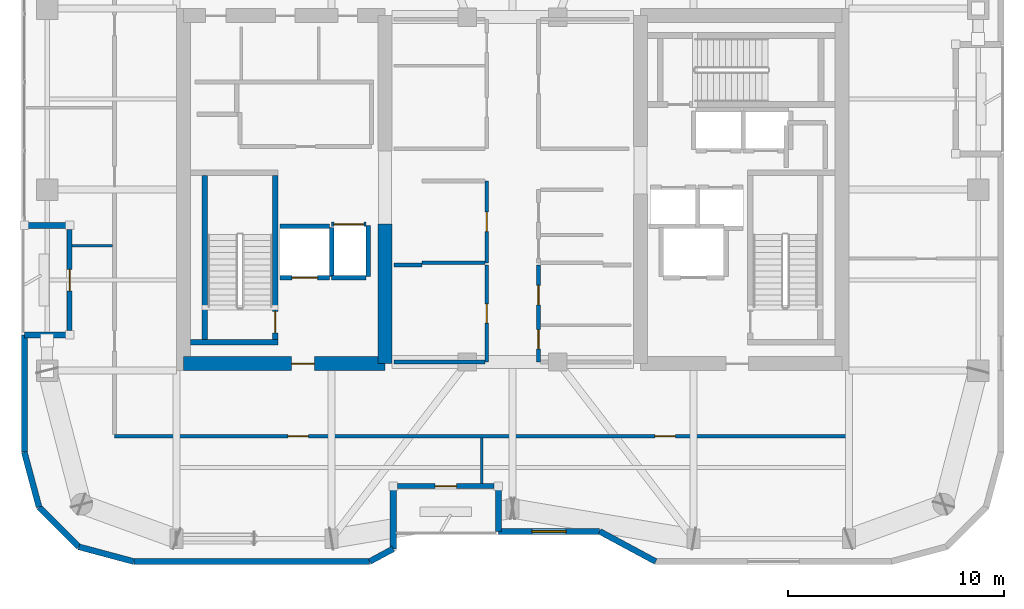
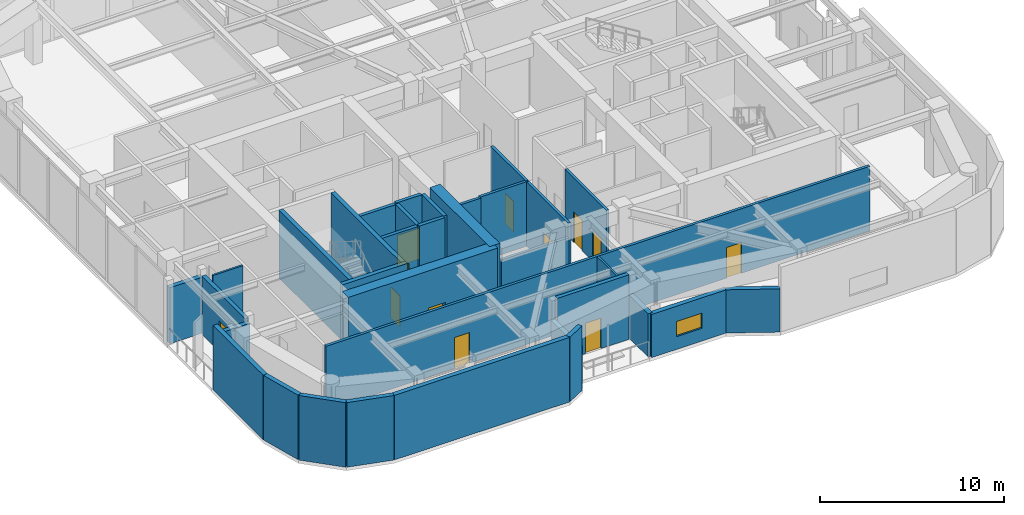
# One storey, part 13 of 19: 34 walls, 12 doors, 1 window, 13 openings.
"""IFC4 building model written with IfcOpenShell, lengths in metres."""

import ifcopenshell
import ifcopenshell.guid

model = None  # the IFC model being written
_history = None  # IfcOwnerHistory: only IFC2X3 demands one
_inside = {}  # id of a spatial element -> (the spatial element, [elements in it])
_under = {}  # id of a project, library or spatial element -> (it, [spatial elements below it])
_declared = {}  # id of a project -> (the project, [libraries it declares])
_typed = {}  # id of a type object -> (the type object, [elements of that type])
_made_of = {}  # id of a material, layer set ... -> (it, [elements and type objects made of it])


def new_model(schema):
    """Start an empty IFC model of exactly this schema.

    Asked for "IFC4X3", IfcOpenShell would pick the latest addendum, in which some entities
    have other attributes; the version numbers below select the first issue.
    IFC2X3 requires an IfcOwnerHistory on every rooted entity: one is made here for all.
    """
    global model, _history
    if schema == "IFC4X3":
        model = ifcopenshell.file(schema_version=(4, 3, 0, 0))
    else:
        model = ifcopenshell.file(schema=schema)
    _inside.clear()
    _under.clear()
    _declared.clear()
    _typed.clear()
    _made_of.clear()
    _history = None
    if model.schema == "IFC2X3":
        org = make("IfcOrganization", Name="unknown")
        user = make(
            "IfcPersonAndOrganization",
            ThePerson=make("IfcPerson", FamilyName="unknown"),
            TheOrganization=org,
        )
        app = make(
            "IfcApplication",
            ApplicationDeveloper=org,
            Version="unknown",
            ApplicationFullName="unknown",
            ApplicationIdentifier="unknown",
        )
        _history = make(
            "IfcOwnerHistory",
            OwningUser=user,
            OwningApplication=app,
            ChangeAction="ADDED",
            CreationDate=0,
        )
    return model


def make(cls, **values):
    """One entity of the class cls with the attributes given. An attribute that is None is left unset."""
    return model.create_entity(
        cls, **{name: value for name, value in values.items() if value is not None}
    )


def rooted(cls, **values):
    """An entity with a GlobalId (a new one), such as an element, a storey or a relation."""
    return make(cls, GlobalId=ifcopenshell.guid.new(), OwnerHistory=_history, **values)


def si_unit(unit_type, name, prefix=None):
    """IfcSIUnit, for example si_unit("LENGTHUNIT", "METRE", prefix="MILLI")."""
    return make("IfcSIUnit", UnitType=unit_type, Prefix=prefix, Name=name)


def assignment(units):
    """IfcUnitAssignment: the units of a project."""
    return None if units is None else make("IfcUnitAssignment", Units=units)


def point(xyz):
    """IfcCartesianPoint."""
    return None if xyz is None else make("IfcCartesianPoint", Coordinates=xyz)


def direction(xyz):
    """IfcDirection."""
    return None if xyz is None else make("IfcDirection", DirectionRatios=xyz)


def frame(location, z_axis=None, x_axis=None):
    """IfcAxis2Placement3D, a coordinate frame: its origin and axes. An axis left out is left unset."""
    return make(
        "IfcAxis2Placement3D",
        Location=point(location),
        Axis=direction(z_axis),
        RefDirection=direction(x_axis),
    )


def frame_2d(location, x_axis=None):
    """IfcAxis2Placement2D, a coordinate frame in the plane: its origin and x axis."""
    return make(
        "IfcAxis2Placement2D", Location=point(location), RefDirection=direction(x_axis)
    )


def origin():
    """The frame at (0, 0, 0) with its axes left unset."""
    return frame((0.0, 0.0, 0.0))


def place(relative_to, where):
    """IfcLocalPlacement: puts the frame where relative to a parent placement (None: the world)."""
    return make(
        "IfcLocalPlacement", PlacementRelTo=relative_to, RelativePlacement=where
    )


def context(
    kind, dimensions, precision=None, world=None, true_north=None, identifier=None
):
    """IfcGeometricRepresentationContext, for example the 3D "Model" context."""
    return make(
        "IfcGeometricRepresentationContext",
        ContextIdentifier=identifier,
        ContextType=kind,
        CoordinateSpaceDimension=dimensions,
        Precision=precision,
        WorldCoordinateSystem=world,
        TrueNorth=true_north,
    )


def subcontext(parent, identifier, kind, view, scale=None):
    """IfcGeometricRepresentationSubContext, for example "Body" below "Model"."""
    return make(
        "IfcGeometricRepresentationSubContext",
        ContextIdentifier=identifier,
        ContextType=kind,
        ParentContext=parent,
        TargetScale=scale,
        TargetView=view,
    )


def project(units=None, contexts=None):
    """IfcProject with its units and contexts."""
    return rooted(
        "IfcProject",
        Name="project",
        RepresentationContexts=contexts,
        UnitsInContext=assignment(units),
    )


def spatial(cls, under=None, at=None, **own):
    """A site, building, storey or space (cls), placed at a placement, below another one or the project."""
    s = rooted(cls, ObjectPlacement=at, **own)
    if under is not None:
        _under.setdefault(under.id(), (under, []))[1].append(s)
    return s


def profile(cls, at=None, kind="AREA", **sizes):
    """A parametric profile (cls). Its sizes go by their IFC names, for example OverallWidth=200.0."""
    return make(cls, ProfileType=kind, Position=at, **sizes)


def rectangle(**sizes):
    """IfcRectangleProfileDef."""
    return profile("IfcRectangleProfileDef", **sizes)


def extrude(swept, where, along, depth):
    """IfcExtrudedAreaSolid: the profile swept, set in the frame where, extruded along a direction by depth."""
    return make(
        "IfcExtrudedAreaSolid",
        SweptArea=swept,
        Position=where,
        ExtrudedDirection=direction(along),
        Depth=depth,
    )


def shape(context_of_items, identifier, shape_type, items):
    """IfcShapeRepresentation: the items that make up one representation, for example the "Body"."""
    return make(
        "IfcShapeRepresentation",
        ContextOfItems=context_of_items,
        RepresentationIdentifier=identifier,
        RepresentationType=shape_type,
        Items=items,
    )


def material(Name=None, Category=None):
    """IfcMaterial."""
    return make("IfcMaterial", Name=Name, Category=Category)


def layer(
    of_material, thickness, ventilated=None, Name=None, Category=None, Priority=None
):
    """IfcMaterialLayer: one layer of a wall or slab, of a material (None: an air gap)."""
    return make(
        "IfcMaterialLayer",
        Material=of_material,
        LayerThickness=thickness,
        IsVentilated=ventilated,
        Name=Name,
        Category=Category,
        Priority=Priority,
    )


def layer_set(layers, Name=None):
    """IfcMaterialLayerSet."""
    return make("IfcMaterialLayerSet", MaterialLayers=layers, LayerSetName=Name)


def made_of(thing, what):
    """Note that an element or type object is made of a material, layer set ...; save() writes the relation."""
    if what is not None:
        _made_of.setdefault(what.id(), (what, []))[1].append(thing)
    return thing


def type_object(cls, material=None, **own):
    """A type object (cls), such as IfcWallType, which elements share."""
    return made_of(rooted(cls, **own), material)


def element(
    cls,
    number,
    at=None,
    inside=None,
    cuts=None,
    type_object=None,
    material=None,
    context=None,
    identifier="Body",
    shape_type=None,
    held_by="IfcProductDefinitionShape",
    body=None,
    shapes=None,
    **own,
):
    """One element of the class cls, such as IfcWall. Its Tag is "e" and its number.

    at: its placement. inside: the storey or other place that contains it. cuts: it is an
    opening in that element (IfcRelVoidsElement). A single representation is given by context,
    identifier, shape_type and body (its items); several are given by shapes. held_by: the class
    of the entity that holds the representations. save() writes the other relations.
    """
    e = rooted(cls, Tag="e%d" % number, ObjectPlacement=at, **own)
    if body is not None:
        shapes = [shape(context, identifier, shape_type, body)]
    if shapes is not None:
        e.Representation = make(held_by, Representations=shapes)
    if inside is not None:
        _inside.setdefault(inside.id(), (inside, []))[1].append(e)
    if cuts is not None:
        rooted(
            "IfcRelVoidsElement", RelatingBuildingElement=cuts, RelatedOpeningElement=e
        )
    if type_object is not None:
        _typed.setdefault(type_object.id(), (type_object, []))[1].append(e)
    return made_of(e, material)


def fill(opening, filler):
    """IfcRelFillsElement: the door or window that sits in an opening."""
    return rooted(
        "IfcRelFillsElement",
        RelatingOpeningElement=opening,
        RelatedBuildingElement=filler,
    )


def aggregate(whole, parts):
    """IfcRelAggregates: a whole, such as a stair, and the parts it consists of."""
    return rooted("IfcRelAggregates", RelatingObject=whole, RelatedObjects=parts)


def save(model, path):
    """Write the relations noted so far, then the file.

    IfcRelAggregates (storeys below a building ...), IfcRelContainedInSpatialStructure (elements
    in a storey), IfcRelDefinesByType, IfcRelAssociatesMaterial and IfcRelDeclares: one each for
    every whole, place, type object, material and project.
    """
    for whole, parts in _under.values():
        aggregate(whole, parts)
    for where, things in _inside.values():
        rooted(
            "IfcRelContainedInSpatialStructure",
            RelatedElements=things,
            RelatingStructure=where,
        )
    for kind, things in _typed.values():
        rooted("IfcRelDefinesByType", RelatedObjects=things, RelatingType=kind)
    for what, things in _made_of.values():
        rooted("IfcRelAssociatesMaterial", RelatedObjects=things, RelatingMaterial=what)
    for by, libraries in _declared.values():
        rooted("IfcRelDeclares", RelatingContext=by, RelatedDefinitions=libraries)
    model.write(path)


model = new_model("IFC4")

# Units and contexts
model_context = context("Model", 3, precision=1e-05, world=origin(), true_north=direction((0.0, 1.0)))
body_context = subcontext(model_context, "Body", "Model", "MODEL_VIEW")
ifc_project = project(units=[si_unit("LENGTHUNIT", "METRE"), si_unit("AREAUNIT", "SQUARE_METRE"), si_unit("VOLUMEUNIT", "CUBIC_METRE"), si_unit("PLANEANGLEUNIT", "RADIAN"), si_unit("MASSUNIT", "GRAM", prefix="KILO")], contexts=[model_context])

# Site, building, storey
site_placement = place(None, origin())
site = spatial("IfcSite", under=ifc_project, at=site_placement, CompositionType="ELEMENT")
building_placement = place(site_placement, origin())
building = spatial("IfcBuilding", under=site, at=building_placement, Name="Kiyonajd Concourse Tower", CompositionType="ELEMENT")
storey_placement = place(building_placement, frame((0.0, 0.0, 238.800048828125)))
storey = spatial("IfcBuildingStorey", under=building, at=storey_placement, Name="L60", CompositionType="ELEMENT", Elevation=238.800048828125)

# Wall
ifc_material_1 = material(Name="Concrete C60/75", Category="concrete")
ifc_layer_1 = layer(ifc_material_1, 0.64990234375)
ifc_layer_set_1 = layer_set([ifc_layer_1], Name="Concrete C60/75")
wall_type_1 = type_object("IfcWallType", Name="WL-CORE-650", PredefinedType="SHEAR", material=ifc_layer_set_1)
wall_1_placement = place(storey_placement, frame((42.074951171875, 27.925048828125, 0.0), z_axis=(0.0, 0.0, 1.0), x_axis=(0.0, 1.0, 0.0)))
element("IfcWall", 1, at=wall_1_placement, inside=storey, type_object=wall_type_1, Name="L60 West Core Inner South Shear Wall", PredefinedType="SHEAR", context=body_context, shape_type="SweptSolid", body=[
    extrude(rectangle(XDim=6.474853515625, YDim=0.64990234375, at=frame_2d((3.2373046875, 0.0))), origin(), (0.0, 0.0, 1.0), 4.5),
])

# Wall, opening, door
wall_2_placement = place(storey_placement, frame((32.72509765625, 27.925048828125, 0.0), z_axis=(0.0, 0.0, 1.0), x_axis=(1.0, 0.0, 0.0)))
wall_2 = element("IfcWall", 2, at=wall_2_placement, inside=storey, type_object=wall_type_1, Name="L60 West Core South Shear Wall", PredefinedType="SHEAR", context=body_context, shape_type="SweptSolid", body=[
    extrude(rectangle(XDim=9.349853515625, YDim=0.64990234375, at=frame_2d((4.6748046875, 0.0))), origin(), (0.0, 0.0, 1.0), 4.5),
])
opening_1_placement = place(wall_2_placement, frame((5.02490234375, 0.0, 0.0)))
opening_1 = element("IfcOpeningElement", 3, at=opening_1_placement, cuts=wall_2, Name="Opening DF5", PredefinedType="OPENING", context=body_context, shape_type="SweptSolid", body=[
    extrude(rectangle(XDim=1.050048828125, YDim=2.0400390625, at=frame_2d((0.52490234375, 1.02001953125))), frame((0.0, 0.3349609375, 0.0), z_axis=(0.0, -1.0, 0.0), x_axis=(1.0, 0.0, 0.0)), (0.0, 0.0, 1.0), 0.669921875),
])
ifc_material_2 = material(Name="Brushed Stainless Steel Cab Assembly", Category="steel")
door_type_1 = type_object("IfcDoorType", Name="DR-FD45-1050", OperationType="NOTDEFINED", PredefinedType="DOOR", material=ifc_material_2)
door_1_placement = place(opening_1_placement, origin())
door_1 = element("IfcDoor", 4, at=door_1_placement, inside=storey, type_object=door_type_1, Name="L60 Firefighting Lift Lobby W Smoke Door", OperationType="SINGLE_SWING_LEFT", OverallHeight=2.0400390625, OverallWidth=1.050048828125, PredefinedType="DOOR", context=body_context, shape_type="SweptSolid", body=[
    extrude(rectangle(XDim=1.050048828125, YDim=2.0400390625, at=frame_2d((0.52490234375, 1.02001953125))), frame((0.0, 0.02490234375, 0.0), z_axis=(0.0, -1.0, 0.0), x_axis=(1.0, 0.0, 0.0)), (0.0, 0.0, 1.0), 0.050048828125),
])
fill(opening_1, door_1)

# Walls
ifc_material_3 = material(Name="Precast concrete C50/60", Category="concrete")
ifc_layer_2 = layer(ifc_material_3, 0.280029296875)
ifc_layer_set_2 = layer_set([ifc_layer_2], Name="Precast concrete C50/60")
wall_type_2 = type_object("IfcWallType", Name="WL-EXT-280", PredefinedType="SOLIDWALL", material=ifc_layer_set_2)
wall_3_placement = place(storey_placement, frame((26.0224609375, 21.2724609375, 0.0), z_axis=(0.0, 0.0, 1.0), x_axis=(-0.2588904131, 0.965906700466, 0.0)))
element("IfcWall", 5, at=wall_3_placement, inside=storey, type_object=wall_type_2, Name="L60 Exterior Concrete Frame Wall 00", PredefinedType="SOLIDWALL", context=body_context, shape_type="SweptSolid", body=[
    extrude(rectangle(XDim=2.6357421875, YDim=0.280029296875, at=frame_2d((1.31787109375, 0.0))), origin(), (0.0, 0.0, 1.0), 4.280029296875),
])
wall_4_placement = place(storey_placement, frame((25.340087890625, 23.818359375, 0.0), z_axis=(0.0, 0.0, 1.0), x_axis=(0.0, 1.0, 0.0)))
element("IfcWall", 6, at=wall_4_placement, inside=storey, type_object=wall_type_2, Name="L60 Exterior Concrete Frame Wall 01", PredefinedType="SOLIDWALL", context=body_context, shape_type="SweptSolid", body=[
    extrude(rectangle(XDim=5.441650390625, YDim=0.280029296875, at=frame_2d((2.720703125, 0.0))), origin(), (0.0, 0.0, 1.0), 4.280029296875),
])
for number, where, z_axis, x_axis, name in (
    (7, (25.340087890625, 29.260009765625, 0.0), (0.0, 0.0, 1.0), (1.0, 0.0, 0.0), "L60 Exterior Concrete Frame Wall 02"),
    (8, (27.43994140625, 34.340087890625, 0.0), (0.0, 0.0, 1.0), (-1.0, 0.0, 0.0), "L60 Exterior Concrete Frame Wall 04"),
):
    element("IfcWall", number, at=place(storey_placement, frame(where, z_axis=z_axis, x_axis=x_axis)), inside=storey, type_object=wall_type_2, Name=name, PredefinedType="SOLIDWALL", context=body_context, shape_type="SweptSolid", body=[
        extrude(rectangle(XDim=2.099853515625, YDim=0.280029296875, at=frame_2d((1.0498046875, 0.0))), origin(), (0.0, 0.0, 1.0), 3.716064453125),
    ])
wall_5_placement = place(storey_placement, frame((54.63525390625, 18.739990234375, 0.0), z_axis=(0.0, 0.0, 1.0), x_axis=(-0.880473754814, 0.474094892488, 0.0)))
element("IfcWall", 9, at=wall_5_placement, inside=storey, type_object=wall_type_2, Name="L60 Exterior Concrete Frame Wall 30", PredefinedType="SOLIDWALL", context=body_context, shape_type="SweptSolid", body=[
    extrude(rectangle(XDim=2.952880859375, YDim=0.280029296875, at=frame_2d((1.4765625, 0.0))), origin(), (0.0, 0.0, 1.0), 2.864990234375),
])

# Wall, opening, window
wall_6_placement = place(storey_placement, frame((52.035400390625, 20.139892578125, 0.0), z_axis=(0.0, 0.0, 1.0), x_axis=(-1.0, 0.0, 0.0)))
wall_6 = element("IfcWall", 10, at=wall_6_placement, inside=storey, type_object=wall_type_2, Name="L60 Exterior Concrete Frame Wall 31", PredefinedType="SOLIDWALL", context=body_context, shape_type="SweptSolid", body=[
    extrude(rectangle(XDim=4.6953125, YDim=0.280029296875, at=frame_2d((2.34765625, 0.0))), origin(), (0.0, 0.0, 1.0), 2.864990234375),
])
opening_2_placement = place(wall_6_placement, frame((1.548095703125, 0.0, 0.85009765625)))
opening_2 = element("IfcOpeningElement", 11, at=opening_2_placement, cuts=wall_6, Name="Opening WN6", PredefinedType="OPENING", context=body_context, shape_type="SweptSolid", body=[
    extrude(rectangle(XDim=1.60009765625, YDim=1.0, at=frame_2d((0.800048828125, 0.5))), frame((0.0, 0.14990234375, 0.0), z_axis=(0.0, -1.0, 0.0), x_axis=(1.0, 0.0, 0.0)), (0.0, 0.0, 1.0), 0.300048828125),
])
ifc_material_4 = material(Name="Double Low-E Insulated Glass", Category="glass")
window_type = type_object("IfcWindowType", Name="WN-VIS-1600x1000", PartitioningType="SINGLE_PANEL", PredefinedType="WINDOW", material=ifc_material_4)
window_placement = place(opening_2_placement, origin())
window = element("IfcWindow", 12, at=window_placement, inside=storey, type_object=window_type, Name="L60 Modular Facade Vision Window 31", OverallHeight=1.0, OverallWidth=1.60009765625, PartitioningType="SINGLE_PANEL", PredefinedType="WINDOW", context=body_context, shape_type="SweptSolid", body=[
    extrude(rectangle(XDim=1.60009765625, YDim=1.0, at=frame_2d((0.800048828125, 0.5))), frame((0.0, 0.030029296875, 0.0), z_axis=(0.0, -1.0, 0.0), x_axis=(1.0, 0.0, 0.0)), (0.0, 0.0, 1.0), 0.06005859375),
])
fill(opening_2, window)

# Walls
wall_7_placement = place(storey_placement, frame((47.340087890625, 20.139892578125, 0.0), z_axis=(0.0, 0.0, 1.0), x_axis=(0.0, 1.0, 0.0)))
element("IfcWall", 13, at=wall_7_placement, inside=storey, type_object=wall_type_2, Name="L60 Exterior Concrete Frame Wall 32", PredefinedType="SOLIDWALL", context=body_context, shape_type="SweptSolid", body=[
    extrude(rectangle(XDim=2.10009765625, YDim=0.280029296875, at=frame_2d((1.050048828125, 0.0))), origin(), (0.0, 0.0, 1.0), 2.864990234375),
])
wall_8_placement = place(storey_placement, frame((42.4599609375, 22.239990234375, 0.0), z_axis=(0.0, 0.0, 1.0), x_axis=(0.0, -1.0, 0.0)))
element("IfcWall", 14, at=wall_8_placement, inside=storey, type_object=wall_type_2, Name="L60 Exterior Concrete Frame Wall 34", PredefinedType="SOLIDWALL", context=body_context, shape_type="SweptSolid", body=[
    extrude(rectangle(XDim=2.910400390625, YDim=0.280029296875, at=frame_2d((1.455078125, 0.0))), origin(), (0.0, 0.0, 1.0), 2.864990234375),
])
wall_9_placement = place(storey_placement, frame((42.4599609375, 19.32958984375, 0.0), z_axis=(0.0, 0.0, 1.0), x_axis=(-0.880515214249, -0.474017887296, 0.0)))
element("IfcWall", 15, at=wall_9_placement, inside=storey, type_object=wall_type_2, Name="L60 Exterior Concrete Frame Wall 35", PredefinedType="SOLIDWALL", context=body_context, shape_type="SweptSolid", body=[
    extrude(rectangle(XDim=1.243896484375, YDim=0.280029296875, at=frame_2d((0.6220703125, 0.0))), origin(), (0.0, 0.0, 1.0), 4.280029296875),
])
wall_10_placement = place(storey_placement, frame((41.36474609375, 18.739990234375, 0.0), z_axis=(0.0, 0.0, 1.0), x_axis=(-1.0, 0.0, 0.0)))
element("IfcWall", 16, at=wall_10_placement, inside=storey, type_object=wall_type_2, Name="L60 Exterior Concrete Frame Wall 36", PredefinedType="SOLIDWALL", context=body_context, shape_type="SweptSolid", body=[
    extrude(rectangle(XDim=10.9462890625, YDim=0.280029296875, at=frame_2d((5.47314453125, 0.0))), origin(), (0.0, 0.0, 1.0), 4.280029296875),
])
wall_11_placement = place(storey_placement, frame((30.41845703125, 18.739990234375, 0.0), z_axis=(0.0, 0.0, 1.0), x_axis=(-0.965883534663, 0.258976828051, 0.0)))
element("IfcWall", 17, at=wall_11_placement, inside=storey, type_object=wall_type_2, Name="L60 Exterior Concrete Frame Wall 37", PredefinedType="SOLIDWALL", context=body_context, shape_type="SweptSolid", body=[
    extrude(rectangle(XDim=2.6357421875, YDim=0.280029296875, at=frame_2d((1.31787109375, 0.0))), origin(), (0.0, 0.0, 1.0), 4.280029296875),
])
wall_12_placement = place(storey_placement, frame((27.87255859375, 19.422607421875, 0.0), z_axis=(0.0, 0.0, 1.0), x_axis=(-0.707153437963, 0.707060121331, 0.0)))
element("IfcWall", 18, at=wall_12_placement, inside=storey, type_object=wall_type_2, Name="L60 Exterior Concrete Frame Wall 38", PredefinedType="SOLIDWALL", context=body_context, shape_type="SweptSolid", body=[
    extrude(rectangle(XDim=2.6162109375, YDim=0.280029296875, at=frame_2d((1.30810546875, 0.0))), origin(), (0.0, 0.0, 1.0), 4.280029296875),
])

# Wall, opening, door
ifc_layer_3 = layer(ifc_material_3, 0.239990234375)
ifc_layer_set_3 = layer_set([ifc_layer_3], Name="Precast concrete C50/60")
wall_type_3 = type_object("IfcWallType", Name="WL-LOG-240", PredefinedType="SOLIDWALL", material=ifc_layer_set_3)
wall_13_placement = place(storey_placement, frame((27.43994140625, 29.455078125, 0.0), z_axis=(0.0, 0.0, 1.0), x_axis=(0.0, 1.0, 0.0)))
wall_13 = element("IfcWall", 19, at=wall_13_placement, inside=storey, type_object=wall_type_3, Name="L60 Recessed Loggia Thermal Wall LOG-W", PredefinedType="SOLIDWALL", context=body_context, shape_type="SweptSolid", body=[
    extrude(rectangle(XDim=4.68994140625, YDim=0.239990234375, at=frame_2d((2.344970703125, 0.0))), origin(), (0.0, 0.0, 1.0), 3.847900390625),
])
opening_3_placement = place(wall_13_placement, frame((1.844970703125, 0.0, 0.0)))
opening_3 = element("IfcOpeningElement", 20, at=opening_3_placement, cuts=wall_13, Name="Opening DL1", PredefinedType="OPENING", context=body_context, shape_type="SweptSolid", body=[
    extrude(rectangle(XDim=1.0, YDim=2.02001953125, at=frame_2d((0.5, 1.010009765625))), frame((0.0, 0.1298828125, 0.0), z_axis=(0.0, -1.0, 0.0), x_axis=(1.0, 0.0, 0.0)), (0.0, 0.0, 1.0), 0.260009765625),
])
ifc_material_5 = material(Name="Thermally Broken Anodised Aluminium", Category="aluminium")
door_type_2 = type_object("IfcDoorType", Name="DR-LOG-1000", OperationType="NOTDEFINED", PredefinedType="DOOR", material=ifc_material_5)
door_2_placement = place(opening_3_placement, origin())
door_2 = element("IfcDoor", 21, at=door_2_placement, inside=storey, type_object=door_type_2, Name="L60 Engawa Loggia Access Door LOG-W", OperationType="SINGLE_SWING_LEFT", OverallHeight=2.02001953125, OverallWidth=1.0, PredefinedType="DOOR", context=body_context, shape_type="SweptSolid", body=[
    extrude(rectangle(XDim=1.0, YDim=2.02001953125, at=frame_2d((0.5, 1.010009765625))), frame((0.0, 0.02490234375, 0.0), z_axis=(0.0, -1.0, 0.0), x_axis=(1.0, 0.0, 0.0)), (0.0, 0.0, 1.0), 0.050048828125),
])
fill(opening_3, door_2)

wall_14_placement = place(storey_placement, frame((47.14501953125, 22.239990234375, 0.0), z_axis=(0.0, 0.0, 1.0), x_axis=(-1.0, 0.0, 0.0)))
wall_14 = element("IfcWall", 22, at=wall_14_placement, inside=storey, type_object=wall_type_3, Name="L60 Recessed Loggia Thermal Wall LOG-S", PredefinedType="SOLIDWALL", context=body_context, shape_type="SweptSolid", body=[
    extrude(rectangle(XDim=4.489990234375, YDim=0.239990234375, at=frame_2d((2.2451171875, 0.0))), origin(), (0.0, 0.0, 1.0), 4.280029296875),
])
opening_4_placement = place(wall_14_placement, frame((1.7451171875, 0.0, 0.0)))
opening_4 = element("IfcOpeningElement", 23, at=opening_4_placement, cuts=wall_14, Name="Opening DL1", PredefinedType="OPENING", context=body_context, shape_type="SweptSolid", body=[
    extrude(rectangle(XDim=1.0, YDim=2.02001953125, at=frame_2d((0.5, 1.010009765625))), frame((0.0, 0.1298828125, 0.0), z_axis=(0.0, -1.0, 0.0), x_axis=(1.0, 0.0, 0.0)), (0.0, 0.0, 1.0), 0.260009765625),
])
door_3_placement = place(opening_4_placement, origin())
door_3 = element("IfcDoor", 24, at=door_3_placement, inside=storey, type_object=door_type_2, Name="L60 Engawa Loggia Access Door LOG-S", OperationType="SINGLE_SWING_LEFT", OverallHeight=2.02001953125, OverallWidth=1.0, PredefinedType="DOOR", context=body_context, shape_type="SweptSolid", body=[
    extrude(rectangle(XDim=1.0, YDim=2.02001953125, at=frame_2d((0.5, 1.010009765625))), frame((0.0, 0.02490234375, 0.0), z_axis=(0.0, -1.0, 0.0), x_axis=(1.0, 0.0, 0.0)), (0.0, 0.0, 1.0), 0.050048828125),
])
fill(opening_4, door_3)

# Walls
ifc_material_6 = material(Name="Gypsum Board on Cold-Formed Steel Stud", Category="steel")
ifc_layer_4 = layer(ifc_material_6, 0.125)
ifc_layer_set_4 = layer_set([ifc_layer_4], Name="Gypsum Board on Cold-Formed Steel Stud")
wall_type_4 = type_object("IfcWallType", Name="WL-PART-125", PredefinedType="PARTITIONING", material=ifc_layer_set_4)
wall_15_placement = place(storey_placement, frame((46.56005859375, 22.35498046875, 0.0), z_axis=(0.0, 0.0, 1.0), x_axis=(0.0, 1.0, 0.0)))
element("IfcWall", 25, at=wall_15_placement, inside=storey, type_object=wall_type_4, Name="L60 Interior Partition Wall", PredefinedType="PARTITIONING", context=body_context, shape_type="SweptSolid", body=[
    extrude(rectangle(XDim=2.117919921875, YDim=0.125, at=frame_2d((1.05908203125, 0.0))), origin(), (0.0, 0.0, 1.0), 4.280029296875),
])
wall_16_placement = place(storey_placement, frame((27.554931640625, 33.39990234375, 0.0), z_axis=(0.0, 0.0, 1.0), x_axis=(1.0, 0.0, 0.0)))
element("IfcWall", 26, at=wall_16_placement, inside=storey, type_object=wall_type_4, Name="L60 Interior Partition Wall", PredefinedType="PARTITIONING", context=body_context, shape_type="SweptSolid", body=[
    extrude(rectangle(XDim=1.883056640625, YDim=0.125, at=frame_2d((0.94140625, 0.0))), origin(), (0.0, 0.0, 1.0), 4.280029296875),
])

# Wall, opening, door
ifc_layer_5 = layer(ifc_material_6, 0.2099609375)
ifc_layer_set_5 = layer_set([ifc_layer_5], Name="Gypsum Board on Cold-Formed Steel Stud")
wall_type_5 = type_object("IfcWallType", Name="WL-SHAFT-210", PredefinedType="PARTITIONING", material=ifc_layer_set_5)
wall_17_placement = place(storey_placement, frame((37.199951171875, 31.89990234375, 0.0), z_axis=(0.0, 0.0, 1.0), x_axis=(1.0, 0.0, 0.0)))
wall_17 = element("IfcWall", 27, at=wall_17_placement, inside=storey, type_object=wall_type_5, Name="L60 Shaft Enclosure Wall", PredefinedType="PARTITIONING", context=body_context, shape_type="SweptSolid", body=[
    extrude(rectangle(XDim=2.300048828125, YDim=0.2099609375, at=frame_2d((1.14990234375, 0.0))), origin(), (0.0, 0.0, 1.0), 4.280029296875),
])
opening_5_placement = place(wall_17_placement, frame((0.550048828125, 0.0, 0.0)))
opening_5 = element("IfcOpeningElement", 28, at=opening_5_placement, cuts=wall_17, Name="Opening LD2", PredefinedType="OPENING", context=body_context, shape_type="SweptSolid", body=[
    extrude(rectangle(XDim=1.199951171875, YDim=2.0400390625, at=frame_2d((0.60009765625, 1.02001953125))), frame((0.0, 0.114990234375, 0.0), z_axis=(0.0, -1.0, 0.0), x_axis=(1.0, 0.0, 0.0)), (0.0, 0.0, 1.0), 0.22998046875),
])
door_type_3 = type_object("IfcDoorType", Name="DR-LD-1200", OperationType="DOUBLE_DOOR_SLIDING", PredefinedType="DOOR", material=ifc_material_2)
door_4_placement = place(opening_5_placement, origin())
door_4 = element("IfcDoor", 29, at=door_4_placement, inside=storey, type_object=door_type_3, Name="L60 Lift FFL1 Sliding Landing Door", OperationType="DOUBLE_DOOR_SLIDING", OverallHeight=2.0400390625, OverallWidth=1.199951171875, PredefinedType="DOOR", context=body_context, shape_type="SweptSolid", body=[
    extrude(rectangle(XDim=1.199951171875, YDim=2.0400390625, at=frame_2d((0.60009765625, 1.02001953125))), frame((0.0, 0.02490234375, 0.0), z_axis=(0.0, -1.0, 0.0), x_axis=(1.0, 0.0, 0.0)), (0.0, 0.0, 1.0), 0.050048828125),
])
fill(opening_5, door_4)

# Walls
wall_18_placement = place(storey_placement, frame((37.199951171875, 34.300048828125, 0.0), z_axis=(0.0, 0.0, 1.0), x_axis=(1.0, 0.0, 0.0)))
element("IfcWall", 30, at=wall_18_placement, inside=storey, type_object=wall_type_5, Name="L60 Shaft Enclosure Wall", PredefinedType="PARTITIONING", context=body_context, shape_type="SweptSolid", body=[
    extrude(rectangle(XDim=2.300048828125, YDim=0.2099609375, at=frame_2d((1.14990234375, 0.0))), origin(), (0.0, 0.0, 1.0), 4.280029296875),
])
wall_19_placement = place(storey_placement, frame((39.60009765625, 31.9599609375, 0.0), z_axis=(0.0, 0.0, 1.0), x_axis=(0.0, 1.0, 0.0)))
element("IfcWall", 31, at=wall_19_placement, inside=storey, type_object=wall_type_5, Name="L60 Shaft Enclosure Wall", PredefinedType="PARTITIONING", context=body_context, shape_type="SweptSolid", body=[
    extrude(rectangle(XDim=2.280029296875, YDim=0.2099609375, at=frame_2d((1.14013671875, 0.0))), origin(), (0.0, 0.0, 1.0), 4.280029296875),
])

# Wall, opening, door
wall_20_placement = place(storey_placement, frame((39.60009765625, 34.39990234375, 0.0), z_axis=(0.0, 0.0, 1.0), x_axis=(1.0, 0.0, 0.0)))
wall_20 = element("IfcWall", 32, at=wall_20_placement, inside=storey, type_object=wall_type_5, Name="L60 Shaft Enclosure Wall", PredefinedType="PARTITIONING", context=body_context, shape_type="SweptSolid", body=[
    extrude(rectangle(XDim=1.599853515625, YDim=0.2099609375, at=frame_2d((0.7998046875, 0.0))), origin(), (0.0, 0.0, 1.0), 4.280029296875),
])
opening_6_placement = place(wall_20_placement, frame((0.10009765625, 0.0, 0.0)))
opening_6 = element("IfcOpeningElement", 33, at=opening_6_placement, cuts=wall_20, Name="Opening LD3", PredefinedType="OPENING", context=body_context, shape_type="SweptSolid", body=[
    extrude(rectangle(XDim=1.39990234375, YDim=2.06005859375, at=frame_2d((0.699951171875, 1.030029296875))), frame((0.0, 0.114990234375, 0.0), z_axis=(0.0, -1.0, 0.0), x_axis=(1.0, 0.0, 0.0)), (0.0, 0.0, 1.0), 0.22998046875),
])
door_type_4 = type_object("IfcDoorType", Name="DR-LD-1400", OperationType="DOUBLE_DOOR_SLIDING", PredefinedType="DOOR", material=ifc_material_2)
door_5_placement = place(opening_6_placement, origin())
door_5 = element("IfcDoor", 34, at=door_5_placement, inside=storey, type_object=door_type_4, Name="L60 Lift SVL1 Sliding Landing Door", OperationType="DOUBLE_DOOR_SLIDING", OverallHeight=2.06005859375, OverallWidth=1.39990234375, PredefinedType="DOOR", context=body_context, shape_type="SweptSolid", body=[
    extrude(rectangle(XDim=1.39990234375, YDim=2.06005859375, at=frame_2d((0.699951171875, 1.030029296875))), frame((0.0, 0.02490234375, 0.0), z_axis=(0.0, -1.0, 0.0), x_axis=(1.0, 0.0, 0.0)), (0.0, 0.0, 1.0), 0.050048828125),
])
fill(opening_6, door_5)

# Walls
wall_21_placement = place(storey_placement, frame((39.60009765625, 31.89990234375, 0.0), z_axis=(0.0, 0.0, 1.0), x_axis=(1.0, 0.0, 0.0)))
element("IfcWall", 35, at=wall_21_placement, inside=storey, type_object=wall_type_5, Name="L60 Shaft Enclosure Wall", PredefinedType="PARTITIONING", context=body_context, shape_type="SweptSolid", body=[
    extrude(rectangle(XDim=1.599853515625, YDim=0.2099609375, at=frame_2d((0.7998046875, 0.0))), origin(), (0.0, 0.0, 1.0), 4.280029296875),
])
wall_22_placement = place(storey_placement, frame((41.300048828125, 31.9599609375, 0.0), z_axis=(0.0, 0.0, 1.0), x_axis=(0.0, 1.0, 0.0)))
element("IfcWall", 36, at=wall_22_placement, inside=storey, type_object=wall_type_5, Name="L60 Shaft Enclosure Wall", PredefinedType="PARTITIONING", context=body_context, shape_type="SweptSolid", body=[
    extrude(rectangle(XDim=2.380126953125, YDim=0.2099609375, at=frame_2d((1.18994140625, 0.0))), origin(), (0.0, 0.0, 1.0), 4.280029296875),
])

# Wall, opening, door
ifc_layer_6 = layer(ifc_material_6, 0.169921875)
ifc_layer_set_6 = layer_set([ifc_layer_6], Name="Gypsum Board on Cold-Formed Steel Stud")
wall_type_6 = type_object("IfcWallType", Name="WL-SMK-170", PredefinedType="PARTITIONING", material=ifc_layer_set_6)
wall_23_placement = place(storey_placement, frame((46.800048828125, 32.60009765625, 0.0), z_axis=(0.0, 0.0, 1.0), x_axis=(0.0, 1.0, 0.0)))
wall_23 = element("IfcWall", 37, at=wall_23_placement, inside=storey, type_object=wall_type_6, Name="L60 Interior Partition Wall", PredefinedType="PARTITIONING", context=body_context, shape_type="SweptSolid", body=[
    extrude(rectangle(XDim=3.7998046875, YDim=0.169921875, at=frame_2d((1.89990234375, 0.0))), origin(), (0.0, 0.0, 1.0), 4.280029296875),
])
opening_7_placement = place(wall_23_placement, frame((1.449951171875, 0.0, 0.0)))
opening_7 = element("IfcOpeningElement", 38, at=opening_7_placement, cuts=wall_23, Name="Opening DI2", PredefinedType="OPENING", context=body_context, shape_type="SweptSolid", body=[
    extrude(rectangle(XDim=0.89990234375, YDim=2.02001953125, at=frame_2d((0.449951171875, 1.010009765625))), frame((0.0, 0.094970703125, 0.0), z_axis=(0.0, -1.0, 0.0), x_axis=(1.0, 0.0, 0.0)), (0.0, 0.0, 1.0), 0.18994140625),
])
ifc_material_7 = material(Name="Natural Oak Acoustic Timber Veneer", Category="wood")
door_type_5 = type_object("IfcDoorType", Name="DR-INT-900", OperationType="NOTDEFINED", PredefinedType="DOOR", material=ifc_material_7)
door_6_placement = place(opening_7_placement, origin())
door_6 = element("IfcDoor", 39, at=door_6_placement, inside=storey, type_object=door_type_5, Name="L60 Interior Door", OperationType="SINGLE_SWING_LEFT", OverallHeight=2.02001953125, OverallWidth=0.89990234375, PredefinedType="DOOR", context=body_context, shape_type="SweptSolid", body=[
    extrude(rectangle(XDim=0.89990234375, YDim=2.02001953125, at=frame_2d((0.449951171875, 1.010009765625))), frame((0.0, 0.02490234375, 0.0), z_axis=(0.0, -1.0, 0.0), x_axis=(1.0, 0.0, 0.0)), (0.0, 0.0, 1.0), 0.050048828125),
])
fill(opening_7, door_6)

# Wall
wall_24_placement = place(storey_placement, frame((43.800048828125, 32.60009765625, 0.0), z_axis=(0.0, 0.0, 1.0), x_axis=(1.0, 0.0, 0.0)))
element("IfcWall", 40, at=wall_24_placement, inside=storey, type_object=wall_type_6, Name="L60 Interior Partition Wall", PredefinedType="PARTITIONING", context=body_context, shape_type="SweptSolid", body=[
    extrude(rectangle(XDim=2.912841796875, YDim=0.169921875, at=frame_2d((1.45654296875, 0.0))), origin(), (0.0, 0.0, 1.0), 4.280029296875),
])

# Wall, opening, door
wall_25_placement = place(storey_placement, frame((46.800048828125, 28.0, 0.0), z_axis=(0.0, 0.0, 1.0), x_axis=(0.0, 1.0, 0.0)))
wall_25 = element("IfcWall", 41, at=wall_25_placement, inside=storey, type_object=wall_type_6, Name="L60 Interior Partition Wall", PredefinedType="PARTITIONING", context=body_context, shape_type="SweptSolid", body=[
    extrude(rectangle(XDim=4.5, YDim=0.169921875, at=frame_2d((2.25, 0.0))), origin(), (0.0, 0.0, 1.0), 4.280029296875),
])
opening_8_placement = place(wall_25_placement, frame((1.800048828125, 0.0, 0.0)))
opening_8 = element("IfcOpeningElement", 42, at=opening_8_placement, cuts=wall_25, Name="Opening DI2", PredefinedType="OPENING", context=body_context, shape_type="SweptSolid", body=[
    extrude(rectangle(XDim=0.89990234375, YDim=2.02001953125, at=frame_2d((0.449951171875, 1.010009765625))), frame((0.0, 0.094970703125, 0.0), z_axis=(0.0, -1.0, 0.0), x_axis=(1.0, 0.0, 0.0)), (0.0, 0.0, 1.0), 0.18994140625),
])
door_7_placement = place(opening_8_placement, origin())
door_7 = element("IfcDoor", 43, at=door_7_placement, inside=storey, type_object=door_type_5, Name="L60 Interior Door", OperationType="SINGLE_SWING_RIGHT", OverallHeight=2.02001953125, OverallWidth=0.89990234375, PredefinedType="DOOR", context=body_context, shape_type="SweptSolid", body=[
    extrude(rectangle(XDim=0.89990234375, YDim=2.02001953125, at=frame_2d((0.449951171875, 1.010009765625))), frame((0.0, 0.02490234375, 0.0), z_axis=(0.0, -1.0, 0.0), x_axis=(1.0, 0.0, 0.0)), (0.0, 0.0, 1.0), 0.050048828125),
])
fill(opening_8, door_7)

# Walls
wall_26_placement = place(storey_placement, frame((42.5, 28.0, 0.0), z_axis=(0.0, 0.0, 1.0), x_axis=(1.0, 0.0, 0.0)))
element("IfcWall", 44, at=wall_26_placement, inside=storey, type_object=wall_type_6, Name="L60 Interior Partition Wall", PredefinedType="PARTITIONING", context=body_context, shape_type="SweptSolid", body=[
    extrude(rectangle(XDim=4.212890625, YDim=0.169921875, at=frame_2d((2.1064453125, 0.0))), origin(), (0.0, 0.0, 1.0), 3.364990234375),
])
wall_27_placement = place(storey_placement, frame((42.5, 32.5, 0.0), z_axis=(0.0, 0.0, 1.0), x_axis=(1.0, 0.0, 0.0)))
element("IfcWall", 45, at=wall_27_placement, inside=storey, type_object=wall_type_6, Name="L60 Interior Partition Wall", PredefinedType="PARTITIONING", context=body_context, shape_type="SweptSolid", body=[
    extrude(rectangle(XDim=1.300048828125, YDim=0.169921875, at=frame_2d((0.64990234375, 0.0))), origin(), (0.0, 0.0, 1.0), 4.280029296875),
])

# Wall, openings, doors
wall_28_placement = place(storey_placement, frame((49.199951171875, 28.0, 0.0), z_axis=(0.0, 0.0, 1.0), x_axis=(0.0, 1.0, 0.0)))
wall_28 = element("IfcWall", 46, at=wall_28_placement, inside=storey, type_object=wall_type_6, Name="L60 Interior Partition Wall", PredefinedType="PARTITIONING", context=body_context, shape_type="SweptSolid", body=[
    extrude(rectangle(XDim=4.5, YDim=0.169921875, at=frame_2d((2.25, 0.0))), origin(), (0.0, 0.0, 1.0), 4.280029296875),
])
opening_9_placement = place(wall_28_placement, frame((0.60498046875, 0.0, 0.0)))
opening_9 = element("IfcOpeningElement", 47, at=opening_9_placement, cuts=wall_28, Name="Opening DI2", PredefinedType="OPENING", context=body_context, shape_type="SweptSolid", body=[
    extrude(rectangle(XDim=0.89990234375, YDim=2.02001953125, at=frame_2d((0.449951171875, 1.010009765625))), frame((0.0, 0.094970703125, 0.0), z_axis=(0.0, -1.0, 0.0), x_axis=(1.0, 0.0, 0.0)), (0.0, 0.0, 1.0), 0.18994140625),
])
opening_10_placement = place(wall_28_placement, frame((2.655029296875, 0.0, 0.0)))
opening_10 = element("IfcOpeningElement", 48, at=opening_10_placement, cuts=wall_28, Name="Opening DI2", PredefinedType="OPENING", context=body_context, shape_type="SweptSolid", body=[
    extrude(rectangle(XDim=0.89990234375, YDim=2.02001953125, at=frame_2d((0.449951171875, 1.010009765625))), frame((0.0, 0.094970703125, 0.0), z_axis=(0.0, -1.0, 0.0), x_axis=(1.0, 0.0, 0.0)), (0.0, 0.0, 1.0), 0.18994140625),
])
door_8_placement = place(opening_9_placement, origin())
door_8 = element("IfcDoor", 49, at=door_8_placement, inside=storey, type_object=door_type_5, Name="L60 Interior Door", OperationType="SINGLE_SWING_LEFT", OverallHeight=2.02001953125, OverallWidth=0.89990234375, PredefinedType="DOOR", context=body_context, shape_type="SweptSolid", body=[
    extrude(rectangle(XDim=0.89990234375, YDim=2.02001953125, at=frame_2d((0.449951171875, 1.010009765625))), frame((0.0, 0.02490234375, 0.0), z_axis=(0.0, -1.0, 0.0), x_axis=(1.0, 0.0, 0.0)), (0.0, 0.0, 1.0), 0.050048828125),
])
fill(opening_9, door_8)
door_9_placement = place(opening_10_placement, origin())
door_9 = element("IfcDoor", 50, at=door_9_placement, inside=storey, type_object=door_type_5, Name="L60 Interior Door", OperationType="SINGLE_SWING_RIGHT", OverallHeight=2.02001953125, OverallWidth=0.89990234375, PredefinedType="DOOR", context=body_context, shape_type="SweptSolid", body=[
    extrude(rectangle(XDim=0.89990234375, YDim=2.02001953125, at=frame_2d((0.449951171875, 1.010009765625))), frame((0.0, 0.02490234375, 0.0), z_axis=(0.0, -1.0, 0.0), x_axis=(1.0, 0.0, 0.0)), (0.0, 0.0, 1.0), 0.050048828125),
])
fill(opening_10, door_9)

wall_29_placement = place(storey_placement, frame((29.52490234375, 24.56005859375, 0.0), z_axis=(0.0, 0.0, 1.0), x_axis=(1.0, 0.0, 0.0)))
wall_29 = element("IfcWall", 51, at=wall_29_placement, inside=storey, type_object=wall_type_6, Name="L60 Interior Partition Wall", PredefinedType="PARTITIONING", context=body_context, shape_type="SweptSolid", body=[
    extrude(rectangle(XDim=34.0751953125, YDim=0.169921875, at=frame_2d((17.03759765625, 0.0))), origin(), (0.0, 0.0, 1.0), 4.280029296875),
])
opening_11_placement = place(wall_29_placement, frame((8.04296875, 0.0, 0.0)))
opening_11 = element("IfcOpeningElement", 52, at=opening_11_placement, cuts=wall_29, Name="Opening DI1", PredefinedType="OPENING", context=body_context, shape_type="SweptSolid", body=[
    extrude(rectangle(XDim=0.949951171875, YDim=2.0400390625, at=frame_2d((0.47509765625, 1.02001953125))), frame((0.0, 0.094970703125, 0.0), z_axis=(0.0, -1.0, 0.0), x_axis=(1.0, 0.0, 0.0)), (0.0, 0.0, 1.0), 0.18994140625),
])
opening_12_placement = place(wall_29_placement, frame((25.080078125, 0.0, 0.0)))
opening_12 = element("IfcOpeningElement", 53, at=opening_12_placement, cuts=wall_29, Name="Opening DI1", PredefinedType="OPENING", context=body_context, shape_type="SweptSolid", body=[
    extrude(rectangle(XDim=0.949951171875, YDim=2.0400390625, at=frame_2d((0.47509765625, 1.02001953125))), frame((0.0, 0.094970703125, 0.0), z_axis=(0.0, -1.0, 0.0), x_axis=(1.0, 0.0, 0.0)), (0.0, 0.0, 1.0), 0.18994140625),
])
door_type_6 = type_object("IfcDoorType", Name="DR-INT-950", OperationType="NOTDEFINED", PredefinedType="DOOR", material=ifc_material_7)
door_10_placement = place(opening_11_placement, origin())
door_10 = element("IfcDoor", 54, at=door_10_placement, inside=storey, type_object=door_type_6, Name="L60 Interior Door", OperationType="SINGLE_SWING_RIGHT", OverallHeight=2.0400390625, OverallWidth=0.949951171875, PredefinedType="DOOR", context=body_context, shape_type="SweptSolid", body=[
    extrude(rectangle(XDim=0.949951171875, YDim=2.0400390625, at=frame_2d((0.47509765625, 1.02001953125))), frame((0.0, 0.02490234375, 0.0), z_axis=(0.0, -1.0, 0.0), x_axis=(1.0, 0.0, 0.0)), (0.0, 0.0, 1.0), 0.050048828125),
])
fill(opening_11, door_10)
door_11_placement = place(opening_12_placement, origin())
door_11 = element("IfcDoor", 55, at=door_11_placement, inside=storey, type_object=door_type_6, Name="L60 Interior Door", OperationType="SINGLE_SWING_LEFT", OverallHeight=2.0400390625, OverallWidth=0.949951171875, PredefinedType="DOOR", context=body_context, shape_type="SweptSolid", body=[
    extrude(rectangle(XDim=0.949951171875, YDim=2.0400390625, at=frame_2d((0.47509765625, 1.02001953125))), frame((0.0, 0.02490234375, 0.0), z_axis=(0.0, -1.0, 0.0), x_axis=(1.0, 0.0, 0.0)), (0.0, 0.0, 1.0), 0.050048828125),
])
fill(opening_12, door_11)

# Walls
ifc_material_8 = material(Name="Concrete C50/60", Category="concrete")
ifc_layer_7 = layer(ifc_material_8, 0.260009765625)
ifc_layer_set_7 = layer_set([ifc_layer_7], Name="Concrete C50/60")
wall_type_7 = type_object("IfcWallType", Name="WL-STAIR-260", PredefinedType="SHEAR", material=ifc_layer_set_7)
wall_30_placement = place(storey_placement, frame((33.050048828125, 28.919921875, 0.0), z_axis=(0.0, 0.0, 1.0), x_axis=(1.0, 0.0, 0.0)))
element("IfcWall", 56, at=wall_30_placement, inside=storey, type_object=wall_type_7, Name="L60 Stair ST1 Structural South Wall", PredefinedType="SHEAR", context=body_context, shape_type="SweptSolid", body=[
    extrude(rectangle(XDim=4.06005859375, YDim=0.260009765625, at=frame_2d((2.030029296875, 0.0))), origin(), (0.0, 0.0, 1.0), 4.5),
])
wall_31_placement = place(storey_placement, frame((33.719970703125, 29.050048828125, 0.0), z_axis=(0.0, 0.0, 1.0), x_axis=(0.0, 1.0, 0.0)))
element("IfcWall", 57, at=wall_31_placement, inside=storey, type_object=wall_type_7, Name="L60 Stair ST1 Structural West Wall", PredefinedType="SHEAR", context=body_context, shape_type="SweptSolid", body=[
    extrude(rectangle(XDim=7.599853515625, YDim=0.260009765625, at=frame_2d((3.7998046875, 0.0))), origin(), (0.0, 0.0, 1.0), 4.5),
])

# Wall, opening, door
wall_32_placement = place(storey_placement, frame((36.97998046875, 29.050048828125, 0.0), z_axis=(0.0, 0.0, 1.0), x_axis=(0.0, 1.0, 0.0)))
wall_32 = element("IfcWall", 58, at=wall_32_placement, inside=storey, type_object=wall_type_7, Name="L60 Stair ST1 Structural East Wall", PredefinedType="SHEAR", context=body_context, shape_type="SweptSolid", body=[
    extrude(rectangle(XDim=7.599853515625, YDim=0.260009765625, at=frame_2d((3.7998046875, 0.0))), origin(), (0.0, 0.0, 1.0), 4.5),
])
opening_13_placement = place(wall_32_placement, frame((0.300048828125, 0.0, 0.0)))
opening_13 = element("IfcOpeningElement", 59, at=opening_13_placement, cuts=wall_32, Name="Opening DF1", PredefinedType="OPENING", context=body_context, shape_type="SweptSolid", body=[
    extrude(rectangle(XDim=1.0, YDim=2.0400390625, at=frame_2d((0.5, 1.02001953125))), frame((0.0, 0.139892578125, 0.0), z_axis=(0.0, -1.0, 0.0), x_axis=(1.0, 0.0, 0.0)), (0.0, 0.0, 1.0), 0.280029296875),
])
door_type_7 = type_object("IfcDoorType", Name="DR-FD90-1000", OperationType="NOTDEFINED", PredefinedType="DOOR", material=ifc_material_2)
door_12_placement = place(opening_13_placement, origin())
door_12 = element("IfcDoor", 60, at=door_12_placement, inside=storey, type_object=door_type_7, Name="L60 Stair ST1 FSAE Door", OperationType="SINGLE_SWING_LEFT", OverallHeight=2.0400390625, OverallWidth=1.0, PredefinedType="DOOR", context=body_context, shape_type="SweptSolid", body=[
    extrude(rectangle(XDim=1.0, YDim=2.0400390625, at=frame_2d((0.5, 1.02001953125))), frame((0.0, 0.02490234375, 0.0), z_axis=(0.0, -1.0, 0.0), x_axis=(1.0, 0.0, 0.0)), (0.0, 0.0, 1.0), 0.050048828125),
])
fill(opening_13, door_12)

save(model, "model.ifc")
